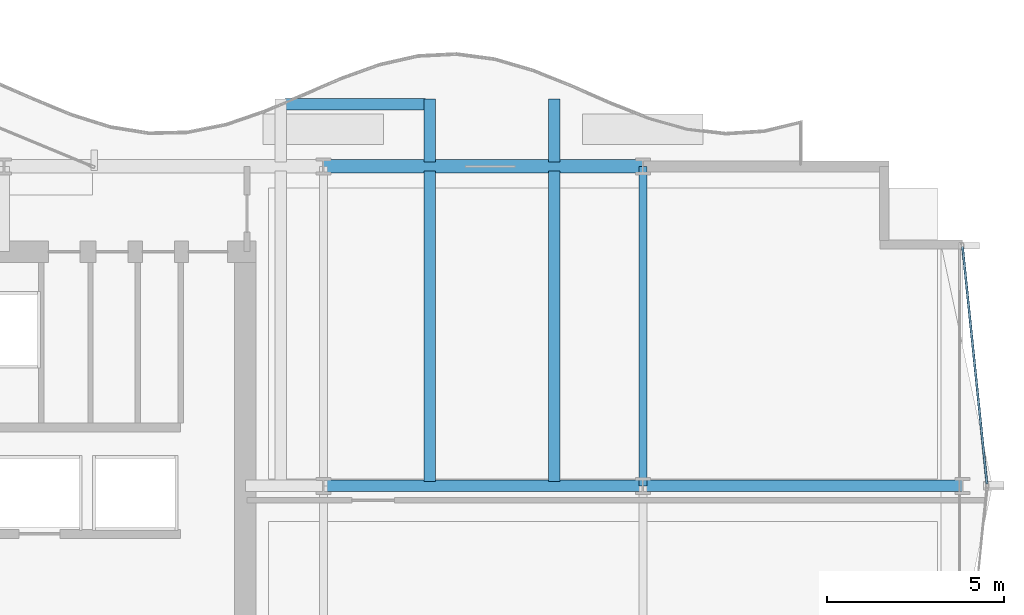
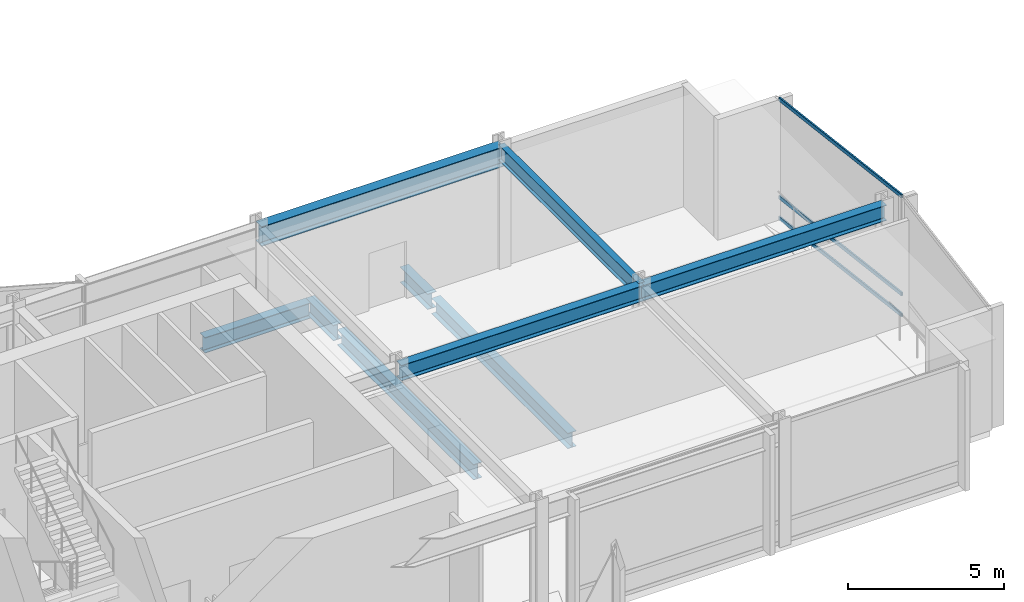
# One storey, part 17 of 39: 9 beams, 3 members, 1 element without a shape of its own.
"""IFC4 building model written with IfcOpenShell, lengths in metres."""

from ifc_helpers import new_model, si_unit, direction, frame, origin, origin_2d, place, context, subcontext, project, spatial, hollow_rectangle, i_section, extrude, material, layer, layer_set, material_profile, profile_set, type_object, element, aggregate, save


model = new_model("IFC4")

# Units and contexts
model_context = context("Model", 3, precision=1e-05, world=origin(), true_north=direction((0.0, 1.0)))
body_context = subcontext(model_context, "Body", "Model", "MODEL_VIEW")
ifc_project = project(units=[si_unit("LENGTHUNIT", "METRE"), si_unit("AREAUNIT", "SQUARE_METRE"), si_unit("VOLUMEUNIT", "CUBIC_METRE"), si_unit("PLANEANGLEUNIT", "RADIAN"), si_unit("MASSUNIT", "GRAM", prefix="KILO")], contexts=[model_context])

# Site, building, storey
site_placement = place(None, origin())
site = spatial("IfcSite", under=ifc_project, at=site_placement, CompositionType="ELEMENT")
building_placement = place(site_placement, origin())
building = spatial("IfcBuilding", under=site, at=building_placement, Name="Solvaryn Broadcast Tower", CompositionType="ELEMENT")
storey_placement = place(building_placement, frame((0.0, 0.0, 84.10009765625)))
storey = spatial("IfcBuildingStorey", under=building, at=storey_placement, Name="L20", CompositionType="ELEMENT", Elevation=84.10009765625)

# Beams
ifc_material_1 = material(Name="Steel ASTM A992 Grade 50", Category="steel")
ifc_material_profile_1 = material_profile(ifc_material_1, i_section(OverallWidth=0.323974609375, OverallDepth=0.611083984375, WebThickness=0.0126953125, FlangeThickness=0.01904296875, FilletRadius=0.014892578125, at=origin_2d()))
ifc_profile_set_1 = profile_set([ifc_material_profile_1], Name="Steel ASTM A992 Grade 50")
beam_type_1 = type_object("IfcBeamType", Name="BM-B1-W24X104", PredefinedType="BEAM", material=ifc_profile_set_1)
for number, where, z_axis, x_axis, name in (
    (1, (48.0, 18.125, -0.635498046875), (0.0, 1.0, 0.0), (-1.0, 0.0, 0.0), "L20 Courtyard Terrace Back-Span Beam X48.0"),
    (2, (51.5, 18.125, -0.635498046875), (0.0, 1.0, 0.0), (-1.0, 0.0, 0.0), "L20 Courtyard Terrace Back-Span Beam X51.5"),
):
    element("IfcBeam", number, at=place(storey_placement, frame(where, z_axis=z_axis, x_axis=x_axis)), inside=storey, type_object=beam_type_1, Name=name, PredefinedType="BEAM", context=body_context, shape_type="SweptSolid", body=[
        extrude(i_section(OverallWidth=0.323974609375, OverallDepth=0.611083984375, WebThickness=0.0126953125, FlangeThickness=0.01904296875, FilletRadius=0.014892578125, at=origin_2d()), origin(), (0.0, 0.0, 1.0), 8.75),
    ])
beam_1_placement = place(storey_placement, frame((43.925048828125, 28.75, -0.635498046875), z_axis=(1.0, 0.0, 0.0), x_axis=(0.0, 1.0, 0.0)))
element("IfcBeam", 3, at=beam_1_placement, inside=storey, type_object=beam_type_1, Name="L20 Courtyard Terrace Cross Tie Beam", PredefinedType="BEAM", context=body_context, shape_type="SweptSolid", body=[
    extrude(i_section(OverallWidth=0.323974609375, OverallDepth=0.611083984375, WebThickness=0.0126953125, FlangeThickness=0.01904296875, FilletRadius=0.014892578125, at=origin_2d()), origin(), (0.0, 0.0, 1.0), 3.949951171875),
])
for number, where, z_axis, x_axis, name in (
    (4, (45.0, 18.0, 4.414306640625), (1.0, 0.0, 0.0), (0.0, 1.0, 0.0), "L20 Primary Beam X (45-54 @ Y=18)"),
    (5, (54.0, 18.0, 4.414306640625), (1.0, 0.0, 0.0), (0.0, 1.0, 0.0), "L20 Primary Beam X (54-63 @ Y=18)"),
):
    element("IfcBeam", number, at=place(storey_placement, frame(where, z_axis=z_axis, x_axis=x_axis)), inside=storey, type_object=beam_type_1, Name=name, PredefinedType="BEAM", context=body_context, shape_type="SweptSolid", body=[
        extrude(i_section(OverallWidth=0.323974609375, OverallDepth=0.611083984375, WebThickness=0.0126953125, FlangeThickness=0.01904296875, FilletRadius=0.014892578125, at=origin_2d()), origin(), (0.0, 0.0, 1.0), 9.0),
    ])
ifc_material_2 = material(Name="Steel ASTM A992 Grade 50", Category="steel")
ifc_material_profile_2 = material_profile(ifc_material_2, i_section(OverallWidth=0.22802734375, OverallDepth=0.60791015625, WebThickness=0.01123046875, FlangeThickness=0.017333984375, FilletRadius=0.014892578125, at=origin_2d()))
ifc_profile_set_2 = profile_set([ifc_material_profile_2], Name="Steel ASTM A992 Grade 50")
beam_type_2 = type_object("IfcBeamType", Name="BM-B2-W24X76", PredefinedType="BEAM", material=ifc_profile_set_2)
beam_2_placement = place(storey_placement, frame((54.0, 18.0, 4.416015625), z_axis=(0.0, 1.0, 0.0), x_axis=(-1.0, 0.0, 0.0)))
element("IfcBeam", 6, at=beam_2_placement, inside=storey, type_object=beam_type_2, Name="L20 Primary Beam Y (18-27 @ X=54)", PredefinedType="BEAM", context=body_context, shape_type="SweptSolid", body=[
    extrude(i_section(OverallWidth=0.22802734375, OverallDepth=0.60791015625, WebThickness=0.01123046875, FlangeThickness=0.017333984375, FilletRadius=0.014892578125, at=origin_2d()), origin(), (0.0, 0.0, 1.0), 9.0),
])
ifc_material_3 = material(Name="Steel ASTM A992 Grade 50", Category="steel")
ifc_material_profile_3 = material_profile(ifc_material_3, i_section(OverallWidth=0.323974609375, OverallDepth=0.611083984375, WebThickness=0.0126953125, FlangeThickness=0.01904296875, FilletRadius=0.014892578125, at=origin_2d()))
ifc_profile_set_3 = profile_set([ifc_material_profile_3], Name="Steel ASTM A992 Grade 50")
beam_type_3 = type_object("IfcBeamType", Name="BM-CANT-TER", PredefinedType="BEAM", material=ifc_profile_set_3)
for number, where, z_axis, x_axis, name in (
    (7, (48.0, 27.125, -0.635498046875), (0.0, 1.0, 0.0), (-1.0, 0.0, 0.0), "L20 Courtyard Terrace Cantilever Beam X48.0"),
    (8, (51.5, 27.125, -0.635498046875), (0.0, 1.0, 0.0), (-1.0, 0.0, 0.0), "L20 Courtyard Terrace Cantilever Beam X51.5"),
):
    element("IfcBeam", number, at=place(storey_placement, frame(where, z_axis=z_axis, x_axis=x_axis)), inside=storey, type_object=beam_type_3, Name=name, PredefinedType="BEAM", context=body_context, shape_type="SweptSolid", body=[
        extrude(i_section(OverallWidth=0.323974609375, OverallDepth=0.611083984375, WebThickness=0.0126953125, FlangeThickness=0.01904296875, FilletRadius=0.014892578125, at=origin_2d()), origin(), (0.0, 0.0, 1.0), 1.77490234375),
    ])
ifc_material_4 = material(Name="Steel ASTM A992 Grade 50", Category="steel")
ifc_material_profile_4 = material_profile(ifc_material_4, i_section(OverallWidth=0.381103515625, OverallDepth=0.77294921875, WebThickness=0.0166015625, FlangeThickness=0.027099609375, FilletRadius=0.01806640625, at=origin_2d()))
ifc_profile_set_4 = profile_set([ifc_material_profile_4], Name="Steel ASTM A992 Grade 50")
beam_type_4 = type_object("IfcBeamType", Name="BM-SP1-W30X173", PredefinedType="USERDEFINED", material=ifc_profile_set_4)
beam_3_placement = place(storey_placement, frame((45.0, 27.0, 4.33349609375), z_axis=(1.0, 0.0, 0.0), x_axis=(0.0, 1.0, 0.0)))
element("IfcBeam", 9, at=beam_3_placement, inside=storey, type_object=beam_type_4, Name="L20 Spandrel Beam X (45-54 @ Y=27)", ObjectType="SPANDREL", PredefinedType="USERDEFINED", context=body_context, shape_type="SweptSolid", body=[
    extrude(i_section(OverallWidth=0.381103515625, OverallDepth=0.77294921875, WebThickness=0.0166015625, FlangeThickness=0.027099609375, FilletRadius=0.01806640625, at=origin_2d()), origin(), (0.0, 0.0, 1.0), 9.0),
])

# Curtain wall, members
ifc_material_5 = material(Name="Aluminium and Terracotta Unitised Curtain Wall", Category="masonry")
ifc_layer = layer(ifc_material_5, 0.25)
ifc_layer_set = layer_set([ifc_layer], Name="CW-SYS4-SKYGARDEN")
curtain_wall_type = type_object("IfcCurtainWallType", Name="CW-SYS4-SKYGARDEN", PredefinedType="NOTDEFINED", material=ifc_layer_set)
curtain_wall_placement = place(storey_placement, origin())
curtain_wall = element("IfcCurtainWall", 10, at=curtain_wall_placement, inside=storey, type_object=curtain_wall_type, Name="L20 Curtain Wall ET1", PredefinedType="NOTDEFINED")
ifc_material_6 = material(Name="Anodised Aluminium 6063-T6", Category="aluminium")
ifc_material_profile_5 = material_profile(ifc_material_6, hollow_rectangle(XDim=0.06494140625, YDim=0.14990234375, WallThickness=0.00390625, InnerFilletRadius=0.00390625, OuterFilletRadius=0.008056640625, at=origin_2d()))
ifc_profile_set_5 = profile_set([ifc_material_profile_5], Name="Anodised Aluminium 6063-T6")
member_type = type_object("IfcMemberType", Name="CW-TRN-150", PredefinedType="USERDEFINED", material=ifc_profile_set_5)
member_1_placement = place(storey_placement, frame((63.006103515625, 24.740234375, 0.02978515625), z_axis=(0.102404277363, -0.994742863245, 0.0), x_axis=(0.994742863245, 0.102404277363, 0.0)))
member_1 = element("IfcMember", 11, at=member_1_placement, type_object=member_type, Name="CWS4 transom 1.1", ObjectType="TRANSOM", PredefinedType="USERDEFINED", context=body_context, shape_type="SweptSolid", body=[
    extrude(hollow_rectangle(XDim=0.06494140625, YDim=0.14990234375, WallThickness=0.00390625, InnerFilletRadius=0.00390625, OuterFilletRadius=0.008056640625, at=origin_2d()), origin(), (0.0, 0.0, 1.0), 6.716064453125),
])
member_2_placement = place(storey_placement, frame((63.006103515625, 24.740234375, 0.849853515625), z_axis=(0.102404277363, -0.994742863245, 0.0), x_axis=(0.994742863245, 0.102404277363, 0.0)))
member_2 = element("IfcMember", 12, at=member_2_placement, type_object=member_type, Name="CWS4 transom 1.2", ObjectType="TRANSOM", PredefinedType="USERDEFINED", context=body_context, shape_type="SweptSolid", body=[
    extrude(hollow_rectangle(XDim=0.06494140625, YDim=0.14990234375, WallThickness=0.00390625, InnerFilletRadius=0.00390625, OuterFilletRadius=0.008056640625, at=origin_2d()), origin(), (0.0, 0.0, 1.0), 6.716064453125),
])
member_3_placement = place(storey_placement, frame((63.006103515625, 24.740234375, 4.68994140625), z_axis=(0.102404277363, -0.994742863245, 0.0), x_axis=(0.994742863245, 0.102404277363, 0.0)))
member_3 = element("IfcMember", 13, at=member_3_placement, type_object=member_type, Name="CWS4 transom 1.3", ObjectType="TRANSOM", PredefinedType="USERDEFINED", context=body_context, shape_type="SweptSolid", body=[
    extrude(hollow_rectangle(XDim=0.06494140625, YDim=0.14990234375, WallThickness=0.00390625, InnerFilletRadius=0.00390625, OuterFilletRadius=0.008056640625, at=origin_2d()), origin(), (0.0, 0.0, 1.0), 6.716064453125),
])
aggregate(curtain_wall, [member_1, member_2, member_3])

save(model, "model.ifc")
